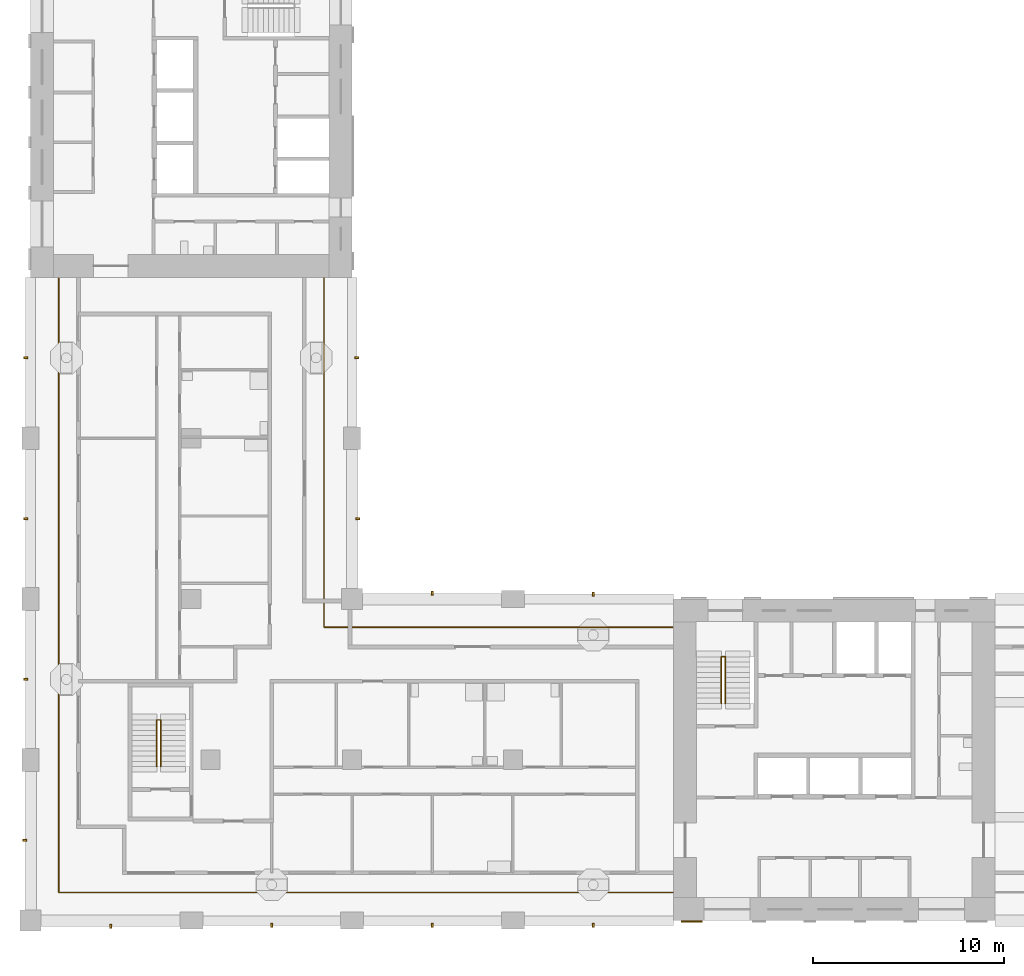
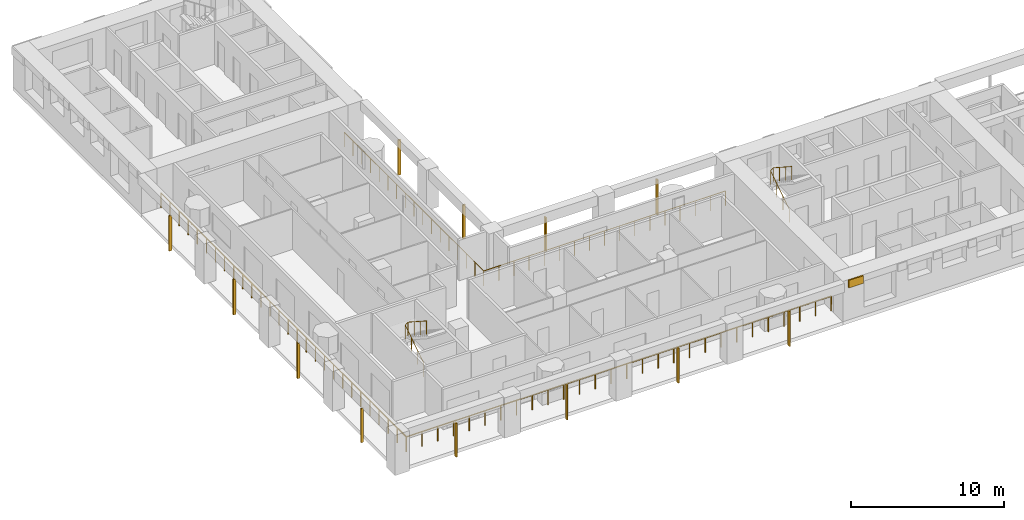
# One storey, part 8 of 13: 13 shading devices, 4 railings.
"""IFC4 building model written with IfcOpenShell, lengths in metres."""

from ifc_helpers import new_model, si_unit, direction, frame, origin, origin_2d, place, context, subcontext, project, spatial, rectangle, circle, extrude, material, layer, layer_set, material_profile, profile_set, type_object, element, save


model = new_model("IFC4")

# Units and contexts
model_context = context("Model", 3, precision=1e-05, world=origin(), true_north=direction((0.0, 1.0)))
body_context = subcontext(model_context, "Body", "Model", "MODEL_VIEW")
ifc_project = project(units=[si_unit("LENGTHUNIT", "METRE"), si_unit("AREAUNIT", "SQUARE_METRE"), si_unit("VOLUMEUNIT", "CUBIC_METRE"), si_unit("PLANEANGLEUNIT", "RADIAN"), si_unit("MASSUNIT", "GRAM", prefix="KILO")], contexts=[model_context])

# Site, building, storey
site_placement = place(None, origin())
site = spatial("IfcSite", under=ifc_project, at=site_placement, CompositionType="ELEMENT")
building_placement = place(site_placement, origin())
building = spatial("IfcBuilding", under=site, at=building_placement, Name="Vermilion Gate Residences", CompositionType="ELEMENT")
storey_placement = place(building_placement, frame((0.0, 0.0, 196.699951171875)))
storey = spatial("IfcBuildingStorey", under=building, at=storey_placement, Name="L51", CompositionType="ELEMENT", Elevation=196.699951171875)

# Railings
ifc_material_1 = material(Name="Stainless steel and toughened glass", Category="steel")
railing_type_1 = type_object("IfcRailingType", Name="LOGGIA GUARD STEEL AND GLASS 1200", PredefinedType="GUARDRAIL", material=ifc_material_1)
railing_1_placement = place(storey_placement, frame((41.97802734375, 23.72509765625, 0.0)))
element("IfcRailing", 1, at=railing_1_placement, inside=storey, type_object=railing_type_1, Name="Loggia guard", PredefinedType="GUARDRAIL", context=body_context, shape_type="SweptSolid", body=[
    extrude(circle(Radius=0.030029296875, at=origin_2d()), frame((0.0, 0.0, 1.169921875), z_axis=(-1.0, 0.0, 0.0), x_axis=(0.0, -1.0, 0.0)), (0.0, 0.0, 1.0), 18.2529296875),
    extrude(circle(Radius=0.030029296875, at=origin_2d()), frame((-18.2529296875, 0.0, 1.169921875), z_axis=(0.0, 1.0, 0.0), x_axis=(-1.0, 0.0, 0.0)), (0.0, 0.0, 1.0), 18.2529296875),
    extrude(circle(Radius=0.02490234375, at=origin_2d()), origin(), (0.0, 0.0, 1.0), 1.139892578125),
    extrude(circle(Radius=0.02490234375, at=origin_2d()), frame((-1.140869140625, 0.0, 0.0)), (0.0, 0.0, 1.0), 1.139892578125),
    extrude(circle(Radius=0.02490234375, at=origin_2d()), frame((-2.28173828125, 0.0, 0.0)), (0.0, 0.0, 1.0), 1.139892578125),
    extrude(circle(Radius=0.02490234375, at=origin_2d()), frame((-3.42236328125, 0.0, 0.0)), (0.0, 0.0, 1.0), 1.139892578125),
    extrude(circle(Radius=0.02490234375, at=origin_2d()), frame((-4.563232421875, 0.0, 0.0)), (0.0, 0.0, 1.0), 1.139892578125),
    extrude(circle(Radius=0.02490234375, at=origin_2d()), frame((-5.7041015625, 0.0, 0.0)), (0.0, 0.0, 1.0), 1.139892578125),
    extrude(circle(Radius=0.02490234375, at=origin_2d()), frame((-6.8447265625, 0.0, 0.0)), (0.0, 0.0, 1.0), 1.139892578125),
    extrude(circle(Radius=0.02490234375, at=origin_2d()), frame((-7.985595703125, 0.0, 0.0)), (0.0, 0.0, 1.0), 1.139892578125),
    extrude(circle(Radius=0.02490234375, at=origin_2d()), frame((-9.12646484375, 0.0, 0.0)), (0.0, 0.0, 1.0), 1.139892578125),
    extrude(circle(Radius=0.02490234375, at=origin_2d()), frame((-10.267333984375, 0.0, 0.0)), (0.0, 0.0, 1.0), 1.139892578125),
    extrude(circle(Radius=0.02490234375, at=origin_2d()), frame((-11.408203125, 0.0, 0.0)), (0.0, 0.0, 1.0), 1.139892578125),
    extrude(circle(Radius=0.02490234375, at=origin_2d()), frame((-12.548828125, 0.0, 0.0)), (0.0, 0.0, 1.0), 1.139892578125),
    extrude(circle(Radius=0.02490234375, at=origin_2d()), frame((-13.689697265625, 0.0, 0.0)), (0.0, 0.0, 1.0), 1.139892578125),
    extrude(circle(Radius=0.02490234375, at=origin_2d()), frame((-14.83056640625, 0.0, 0.0)), (0.0, 0.0, 1.0), 1.139892578125),
    extrude(circle(Radius=0.02490234375, at=origin_2d()), frame((-15.97119140625, 0.0, 0.0)), (0.0, 0.0, 1.0), 1.139892578125),
    extrude(circle(Radius=0.02490234375, at=origin_2d()), frame((-17.112060546875, 0.0, 0.0)), (0.0, 0.0, 1.0), 1.139892578125),
    extrude(circle(Radius=0.02490234375, at=origin_2d()), frame((-18.2529296875, 0.0, 0.0)), (0.0, 0.0, 1.0), 1.139892578125),
    extrude(circle(Radius=0.02490234375, at=origin_2d()), frame((-18.2529296875, 1.140869140625, 0.0)), (0.0, 0.0, 1.0), 1.139892578125),
    extrude(circle(Radius=0.02490234375, at=origin_2d()), frame((-18.2529296875, 2.28173828125, 0.0)), (0.0, 0.0, 1.0), 1.139892578125),
    extrude(circle(Radius=0.02490234375, at=origin_2d()), frame((-18.2529296875, 3.42236328125, 0.0)), (0.0, 0.0, 1.0), 1.139892578125),
    extrude(circle(Radius=0.02490234375, at=origin_2d()), frame((-18.2529296875, 4.563232421875, 0.0)), (0.0, 0.0, 1.0), 1.139892578125),
    extrude(circle(Radius=0.02490234375, at=origin_2d()), frame((-18.2529296875, 5.7041015625, 0.0)), (0.0, 0.0, 1.0), 1.139892578125),
    extrude(circle(Radius=0.02490234375, at=origin_2d()), frame((-18.2529296875, 6.8447265625, 0.0)), (0.0, 0.0, 1.0), 1.139892578125),
    extrude(circle(Radius=0.02490234375, at=origin_2d()), frame((-18.2529296875, 7.985595703125, 0.0)), (0.0, 0.0, 1.0), 1.139892578125),
    extrude(circle(Radius=0.02490234375, at=origin_2d()), frame((-18.2529296875, 9.12646484375, 0.0)), (0.0, 0.0, 1.0), 1.139892578125),
    extrude(circle(Radius=0.02490234375, at=origin_2d()), frame((-18.2529296875, 10.267333984375, 0.0)), (0.0, 0.0, 1.0), 1.139892578125),
    extrude(circle(Radius=0.02490234375, at=origin_2d()), frame((-18.2529296875, 11.408203125, 0.0)), (0.0, 0.0, 1.0), 1.139892578125),
    extrude(circle(Radius=0.02490234375, at=origin_2d()), frame((-18.2529296875, 12.548828125, 0.0)), (0.0, 0.0, 1.0), 1.139892578125),
    extrude(circle(Radius=0.02490234375, at=origin_2d()), frame((-18.2529296875, 13.689697265625, 0.0)), (0.0, 0.0, 1.0), 1.139892578125),
    extrude(circle(Radius=0.02490234375, at=origin_2d()), frame((-18.2529296875, 14.83056640625, 0.0)), (0.0, 0.0, 1.0), 1.139892578125),
    extrude(circle(Radius=0.02490234375, at=origin_2d()), frame((-18.2529296875, 15.97119140625, 0.0)), (0.0, 0.0, 1.0), 1.139892578125),
    extrude(circle(Radius=0.02490234375, at=origin_2d()), frame((-18.2529296875, 17.112060546875, 0.0)), (0.0, 0.0, 1.0), 1.139892578125),
    extrude(circle(Radius=0.02490234375, at=origin_2d()), frame((-18.2529296875, 18.2529296875, 0.0)), (0.0, 0.0, 1.0), 1.139892578125),
])
railing_2_placement = place(storey_placement, frame((9.875, 41.97802734375, 0.0)))
element("IfcRailing", 2, at=railing_2_placement, inside=storey, type_object=railing_type_1, Name="Loggia guard", PredefinedType="GUARDRAIL", context=body_context, shape_type="SweptSolid", body=[
    extrude(circle(Radius=0.030029296875, at=origin_2d()), frame((0.0, 0.0, 1.169921875), z_axis=(0.0, -1.0, 0.0), x_axis=(1.0, 0.0, 0.0)), (0.0, 0.0, 1.0), 32.10302734375),
    extrude(circle(Radius=0.030029296875, at=origin_2d()), frame((0.0, -32.10302734375, 1.169921875), z_axis=(1.0, 0.0, 0.0), x_axis=(0.0, 1.0, 0.0)), (0.0, 0.0, 1.0), 32.10302734375),
    extrude(circle(Radius=0.02490234375, at=origin_2d()), origin(), (0.0, 0.0, 1.0), 1.139892578125),
    extrude(circle(Radius=0.02490234375, at=origin_2d()), frame((0.0, -1.18896484375, 0.0)), (0.0, 0.0, 1.0), 1.139892578125),
    extrude(circle(Radius=0.02490234375, at=origin_2d()), frame((0.0, -2.3779296875, 0.0)), (0.0, 0.0, 1.0), 1.139892578125),
    extrude(circle(Radius=0.02490234375, at=origin_2d()), frame((0.0, -3.56689453125, 0.0)), (0.0, 0.0, 1.0), 1.139892578125),
    extrude(circle(Radius=0.02490234375, at=origin_2d()), frame((0.0, -4.756103515625, 0.0)), (0.0, 0.0, 1.0), 1.139892578125),
    extrude(circle(Radius=0.02490234375, at=origin_2d()), frame((0.0, -5.945068359375, 0.0)), (0.0, 0.0, 1.0), 1.139892578125),
    extrude(circle(Radius=0.02490234375, at=origin_2d()), frame((0.0, -7.134033203125, 0.0)), (0.0, 0.0, 1.0), 1.139892578125),
    extrude(circle(Radius=0.02490234375, at=origin_2d()), frame((0.0, -8.322998046875, 0.0)), (0.0, 0.0, 1.0), 1.139892578125),
    extrude(circle(Radius=0.02490234375, at=origin_2d()), frame((0.0, -9.511962890625, 0.0)), (0.0, 0.0, 1.0), 1.139892578125),
    extrude(circle(Radius=0.02490234375, at=origin_2d()), frame((0.0, -10.700927734375, 0.0)), (0.0, 0.0, 1.0), 1.139892578125),
    extrude(circle(Radius=0.02490234375, at=origin_2d()), frame((0.0, -11.889892578125, 0.0)), (0.0, 0.0, 1.0), 1.139892578125),
    extrude(circle(Radius=0.02490234375, at=origin_2d()), frame((0.0, -13.0791015625, 0.0)), (0.0, 0.0, 1.0), 1.139892578125),
    extrude(circle(Radius=0.02490234375, at=origin_2d()), frame((0.0, -14.26806640625, 0.0)), (0.0, 0.0, 1.0), 1.139892578125),
    extrude(circle(Radius=0.02490234375, at=origin_2d()), frame((0.0, -15.45703125, 0.0)), (0.0, 0.0, 1.0), 1.139892578125),
    extrude(circle(Radius=0.02490234375, at=origin_2d()), frame((0.0, -16.64599609375, 0.0)), (0.0, 0.0, 1.0), 1.139892578125),
    extrude(circle(Radius=0.02490234375, at=origin_2d()), frame((0.0, -17.8349609375, 0.0)), (0.0, 0.0, 1.0), 1.139892578125),
    extrude(circle(Radius=0.02490234375, at=origin_2d()), frame((0.0, -19.02392578125, 0.0)), (0.0, 0.0, 1.0), 1.139892578125),
    extrude(circle(Radius=0.02490234375, at=origin_2d()), frame((0.0, -20.213134765625, 0.0)), (0.0, 0.0, 1.0), 1.139892578125),
    extrude(circle(Radius=0.02490234375, at=origin_2d()), frame((0.0, -21.402099609375, 0.0)), (0.0, 0.0, 1.0), 1.139892578125),
    extrude(circle(Radius=0.02490234375, at=origin_2d()), frame((0.0, -22.591064453125, 0.0)), (0.0, 0.0, 1.0), 1.139892578125),
    extrude(circle(Radius=0.02490234375, at=origin_2d()), frame((0.0, -23.780029296875, 0.0)), (0.0, 0.0, 1.0), 1.139892578125),
    extrude(circle(Radius=0.02490234375, at=origin_2d()), frame((0.0, -24.968994140625, 0.0)), (0.0, 0.0, 1.0), 1.139892578125),
    extrude(circle(Radius=0.02490234375, at=origin_2d()), frame((0.0, -26.157958984375, 0.0)), (0.0, 0.0, 1.0), 1.139892578125),
    extrude(circle(Radius=0.02490234375, at=origin_2d()), frame((0.0, -27.346923828125, 0.0)), (0.0, 0.0, 1.0), 1.139892578125),
    extrude(circle(Radius=0.02490234375, at=origin_2d()), frame((0.0, -28.5361328125, 0.0)), (0.0, 0.0, 1.0), 1.139892578125),
    extrude(circle(Radius=0.02490234375, at=origin_2d()), frame((0.0, -29.72509765625, 0.0)), (0.0, 0.0, 1.0), 1.139892578125),
    extrude(circle(Radius=0.02490234375, at=origin_2d()), frame((0.0, -30.9140625, 0.0)), (0.0, 0.0, 1.0), 1.139892578125),
    extrude(circle(Radius=0.02490234375, at=origin_2d()), frame((0.0, -32.10302734375, 0.0)), (0.0, 0.0, 1.0), 1.139892578125),
    extrude(circle(Radius=0.02490234375, at=origin_2d()), frame((1.18896484375, -32.10302734375, 0.0)), (0.0, 0.0, 1.0), 1.139892578125),
    extrude(circle(Radius=0.02490234375, at=origin_2d()), frame((2.3779296875, -32.10302734375, 0.0)), (0.0, 0.0, 1.0), 1.139892578125),
    extrude(circle(Radius=0.02490234375, at=origin_2d()), frame((3.56689453125, -32.10302734375, 0.0)), (0.0, 0.0, 1.0), 1.139892578125),
    extrude(circle(Radius=0.02490234375, at=origin_2d()), frame((4.756103515625, -32.10302734375, 0.0)), (0.0, 0.0, 1.0), 1.139892578125),
    extrude(circle(Radius=0.02490234375, at=origin_2d()), frame((5.945068359375, -32.10302734375, 0.0)), (0.0, 0.0, 1.0), 1.139892578125),
    extrude(circle(Radius=0.02490234375, at=origin_2d()), frame((7.134033203125, -32.10302734375, 0.0)), (0.0, 0.0, 1.0), 1.139892578125),
    extrude(circle(Radius=0.02490234375, at=origin_2d()), frame((8.322998046875, -32.10302734375, 0.0)), (0.0, 0.0, 1.0), 1.139892578125),
    extrude(circle(Radius=0.02490234375, at=origin_2d()), frame((9.511962890625, -32.10302734375, 0.0)), (0.0, 0.0, 1.0), 1.139892578125),
    extrude(circle(Radius=0.02490234375, at=origin_2d()), frame((10.700927734375, -32.10302734375, 0.0)), (0.0, 0.0, 1.0), 1.139892578125),
    extrude(circle(Radius=0.02490234375, at=origin_2d()), frame((11.889892578125, -32.10302734375, 0.0)), (0.0, 0.0, 1.0), 1.139892578125),
    extrude(circle(Radius=0.02490234375, at=origin_2d()), frame((13.0791015625, -32.10302734375, 0.0)), (0.0, 0.0, 1.0), 1.139892578125),
    extrude(circle(Radius=0.02490234375, at=origin_2d()), frame((14.26806640625, -32.10302734375, 0.0)), (0.0, 0.0, 1.0), 1.139892578125),
    extrude(circle(Radius=0.02490234375, at=origin_2d()), frame((15.45703125, -32.10302734375, 0.0)), (0.0, 0.0, 1.0), 1.139892578125),
    extrude(circle(Radius=0.02490234375, at=origin_2d()), frame((16.64599609375, -32.10302734375, 0.0)), (0.0, 0.0, 1.0), 1.139892578125),
    extrude(circle(Radius=0.02490234375, at=origin_2d()), frame((17.8349609375, -32.10302734375, 0.0)), (0.0, 0.0, 1.0), 1.139892578125),
    extrude(circle(Radius=0.02490234375, at=origin_2d()), frame((19.02392578125, -32.10302734375, 0.0)), (0.0, 0.0, 1.0), 1.139892578125),
    extrude(circle(Radius=0.02490234375, at=origin_2d()), frame((20.213134765625, -32.10302734375, 0.0)), (0.0, 0.0, 1.0), 1.139892578125),
    extrude(circle(Radius=0.02490234375, at=origin_2d()), frame((21.402099609375, -32.10302734375, 0.0)), (0.0, 0.0, 1.0), 1.139892578125),
    extrude(circle(Radius=0.02490234375, at=origin_2d()), frame((22.591064453125, -32.10302734375, 0.0)), (0.0, 0.0, 1.0), 1.139892578125),
    extrude(circle(Radius=0.02490234375, at=origin_2d()), frame((23.780029296875, -32.10302734375, 0.0)), (0.0, 0.0, 1.0), 1.139892578125),
    extrude(circle(Radius=0.02490234375, at=origin_2d()), frame((24.968994140625, -32.10302734375, 0.0)), (0.0, 0.0, 1.0), 1.139892578125),
    extrude(circle(Radius=0.02490234375, at=origin_2d()), frame((26.157958984375, -32.10302734375, 0.0)), (0.0, 0.0, 1.0), 1.139892578125),
    extrude(circle(Radius=0.02490234375, at=origin_2d()), frame((27.346923828125, -32.10302734375, 0.0)), (0.0, 0.0, 1.0), 1.139892578125),
    extrude(circle(Radius=0.02490234375, at=origin_2d()), frame((28.5361328125, -32.10302734375, 0.0)), (0.0, 0.0, 1.0), 1.139892578125),
    extrude(circle(Radius=0.02490234375, at=origin_2d()), frame((29.72509765625, -32.10302734375, 0.0)), (0.0, 0.0, 1.0), 1.139892578125),
    extrude(circle(Radius=0.02490234375, at=origin_2d()), frame((30.9140625, -32.10302734375, 0.0)), (0.0, 0.0, 1.0), 1.139892578125),
    extrude(circle(Radius=0.02490234375, at=origin_2d()), frame((32.10302734375, -32.10302734375, 0.0)), (0.0, 0.0, 1.0), 1.139892578125),
])
ifc_material_2 = material(Name="Steel S355", Category="steel")
railing_type_2 = type_object("IfcRailingType", Name="STAIR GUARD 1100 STEEL", PredefinedType="GUARDRAIL", material=ifc_material_2)
for number, where, name in (
    (3, (44.5, 19.75, 0.175048828125), "Stair well guard STA1-51"),
    (4, (15.0, 16.449951171875, 0.175048828125), "Stair well guard STC1-51"),
):
    element("IfcRailing", number, at=place(storey_placement, frame(where)), inside=storey, type_object=railing_type_2, Name=name, PredefinedType="GUARDRAIL", context=body_context, shape_type="SweptSolid", body=[
        extrude(circle(Radius=0.02392578125, at=origin_2d()), frame((0.0, 0.0, 1.076171875), z_axis=(0.0, 0.839153699163, 0.543894354798), x_axis=(-1.0, 0.0, 0.0)), (0.0, 0.0, 1.0), 2.895751953125),
        extrude(circle(Radius=0.02392578125, at=origin_2d()), frame((0.0, 2.429931640625, 2.65087890625), z_axis=(0.752405939678, 0.0, 0.658699705433), x_axis=(0.0, 1.0, 0.0)), (0.0, 0.0, 1.0), 0.265869140625),
        extrude(circle(Radius=0.02392578125, at=origin_2d()), frame((0.199951171875, 2.429931640625, 2.826171875), z_axis=(0.0, -0.839153699163, 0.543894354798), x_axis=(1.0, 0.0, 0.0)), (0.0, 0.0, 1.0), 2.895751953125),
        extrude(circle(Radius=0.02099609375, at=origin_2d()), origin(), (0.0, 0.0, 1.0), 1.052001953125),
        extrude(circle(Radius=0.02099609375, at=origin_2d()), frame((0.0, 0.81005859375, 0.52490234375)), (0.0, 0.0, 1.0), 1.052001953125),
        extrude(circle(Radius=0.02099609375, at=origin_2d()), frame((0.0, 1.619873046875, 1.050048828125)), (0.0, 0.0, 1.0), 1.052001953125),
        extrude(circle(Radius=0.02099609375, at=origin_2d()), frame((0.0, 2.429931640625, 1.574951171875)), (0.0, 0.0, 1.0), 1.052001953125),
        extrude(circle(Radius=0.02099609375, at=origin_2d()), frame((0.199951171875, 2.429931640625, 1.75)), (0.0, 0.0, 1.0), 1.052001953125),
        extrude(circle(Radius=0.02099609375, at=origin_2d()), frame((0.199951171875, 1.619873046875, 2.27490234375)), (0.0, 0.0, 1.0), 1.052001953125),
        extrude(circle(Radius=0.02099609375, at=origin_2d()), frame((0.199951171875, 0.81005859375, 2.800048828125)), (0.0, 0.0, 1.0), 1.052001953125),
        extrude(circle(Radius=0.02099609375, at=origin_2d()), frame((0.199951171875, 0.0, 3.324951171875)), (0.0, 0.0, 1.0), 1.052001953125),
    ])

# Shading devices
ifc_material_3 = material(Name="Extruded terracotta", Category="masonry")
ifc_material_profile = material_profile(ifc_material_3, rectangle(XDim=0.199951171875, YDim=0.10009765625, at=origin_2d()), Name="BAGUETTE 100 X 200")
ifc_profile_set = profile_set([ifc_material_profile], Name="Extruded terracotta")
shading_device_type_1 = type_object("IfcShadingDeviceType", Name="TERRACOTTA BAGUETTE 100 X 200", PredefinedType="JALOUSIE", material=ifc_profile_set)
shading_device_1_placement = place(storey_placement, frame((12.60009765625, 8.10009765625, -0.280029296875), z_axis=(0.0, 0.0, 1.0), x_axis=(0.0, 1.0, 0.0)))
element("IfcShadingDevice", 5, at=shading_device_1_placement, inside=storey, type_object=shading_device_type_1, Name="BAGUETTE", PredefinedType="JALOUSIE", context=body_context, shape_type="SweptSolid", body=[
    extrude(rectangle(XDim=0.199951171875, YDim=0.10009765625, at=origin_2d()), origin(), (0.0, 0.0, 1.0), 2.7001953125),
])
for number, where, z_axis, x_axis, name in (
    (6, (21.0, 8.14990234375, -0.280029296875), (0.0, 0.0, 1.0), (0.0, 1.0, 0.0), "BAGUETTE"),
    (7, (29.39990234375, 8.14990234375, -0.280029296875), (0.0, 0.0, 1.0), (0.0, 1.0, 0.0), "BAGUETTE"),
    (8, (37.800048828125, 8.14990234375, -0.280029296875), (0.0, 0.0, 1.0), (0.0, 1.0, 0.0), "BAGUETTE"),
):
    element("IfcShadingDevice", number, at=place(storey_placement, frame(where, z_axis=z_axis, x_axis=x_axis)), inside=storey, type_object=shading_device_type_1, Name=name, PredefinedType="JALOUSIE", context=body_context, shape_type="SweptSolid", body=[
        extrude(rectangle(XDim=0.199951171875, YDim=0.10009765625, at=origin_2d()), origin(), (0.0, 0.0, 1.0), 2.800048828125),
    ])
shading_device_2_placement = place(storey_placement, frame((29.39990234375, 25.5, -0.280029296875), z_axis=(0.0, 0.0, 1.0), x_axis=(0.0, -1.0, 0.0)))
element("IfcShadingDevice", 9, at=shading_device_2_placement, inside=storey, type_object=shading_device_type_1, Name="BAGUETTE", PredefinedType="JALOUSIE", context=body_context, shape_type="SweptSolid", body=[
    extrude(rectangle(XDim=0.199951171875, YDim=0.10009765625, at=origin_2d()), origin(), (0.0, 0.0, 1.0), 2.7001953125),
])
shading_device_3_placement = place(storey_placement, frame((37.800048828125, 25.449951171875, -0.280029296875), z_axis=(0.0, 0.0, 1.0), x_axis=(0.0, -1.0, 0.0)))
element("IfcShadingDevice", 10, at=shading_device_3_placement, inside=storey, type_object=shading_device_type_1, Name="BAGUETTE", PredefinedType="JALOUSIE", context=body_context, shape_type="SweptSolid", body=[
    extrude(rectangle(XDim=0.199951171875, YDim=0.10009765625, at=origin_2d()), origin(), (0.0, 0.0, 1.0), 2.800048828125),
])
shading_device_4_placement = place(storey_placement, frame((25.5, 29.39990234375, -0.280029296875), z_axis=(0.0, 0.0, 1.0), x_axis=(-1.0, 0.0, 0.0)))
element("IfcShadingDevice", 11, at=shading_device_4_placement, inside=storey, type_object=shading_device_type_1, Name="BAGUETTE", PredefinedType="JALOUSIE", context=body_context, shape_type="SweptSolid", body=[
    extrude(rectangle(XDim=0.199951171875, YDim=0.10009765625, at=origin_2d()), origin(), (0.0, 0.0, 1.0), 2.7001953125),
])
shading_device_5_placement = place(storey_placement, frame((25.449951171875, 37.800048828125, -0.280029296875), z_axis=(0.0, 0.0, 1.0), x_axis=(-1.0, 0.0, 0.0)))
element("IfcShadingDevice", 12, at=shading_device_5_placement, inside=storey, type_object=shading_device_type_1, Name="BAGUETTE", PredefinedType="JALOUSIE", context=body_context, shape_type="SweptSolid", body=[
    extrude(rectangle(XDim=0.199951171875, YDim=0.10009765625, at=origin_2d()), origin(), (0.0, 0.0, 1.0), 2.800048828125),
])
shading_device_6_placement = place(storey_placement, frame((8.10009765625, 12.60009765625, -0.280029296875), z_axis=(0.0, 0.0, 1.0), x_axis=(1.0, 0.0, 0.0)))
element("IfcShadingDevice", 13, at=shading_device_6_placement, inside=storey, type_object=shading_device_type_1, Name="BAGUETTE", PredefinedType="JALOUSIE", context=body_context, shape_type="SweptSolid", body=[
    extrude(rectangle(XDim=0.199951171875, YDim=0.10009765625, at=origin_2d()), origin(), (0.0, 0.0, 1.0), 2.7001953125),
])
for number, where, z_axis, x_axis, name in (
    (14, (8.14990234375, 21.0, -0.280029296875), (0.0, 0.0, 1.0), (1.0, 0.0, 0.0), "BAGUETTE"),
    (15, (8.14990234375, 29.39990234375, -0.280029296875), (0.0, 0.0, 1.0), (1.0, 0.0, 0.0), "BAGUETTE"),
    (16, (8.14990234375, 37.800048828125, -0.280029296875), (0.0, 0.0, 1.0), (1.0, 0.0, 0.0), "BAGUETTE"),
):
    element("IfcShadingDevice", number, at=place(storey_placement, frame(where, z_axis=z_axis, x_axis=x_axis)), inside=storey, type_object=shading_device_type_1, Name=name, PredefinedType="JALOUSIE", context=body_context, shape_type="SweptSolid", body=[
        extrude(rectangle(XDim=0.199951171875, YDim=0.10009765625, at=origin_2d()), origin(), (0.0, 0.0, 1.0), 2.800048828125),
    ])
ifc_material_4 = material(Name="Extruded terracotta", Category="masonry")
ifc_layer = layer(ifc_material_4, 0.10009765625)
ifc_layer_set = layer_set([ifc_layer], Name="TERRACOTTA SPANDREL BAND 600 X 100")
shading_device_type_2 = type_object("IfcShadingDeviceType", Name="TERRACOTTA SPANDREL BAND 600 X 100", PredefinedType="USERDEFINED", material=ifc_layer_set)
shading_device_7_placement = place(storey_placement, frame((42.949951171875, 8.35009765625, 2.6201171875), z_axis=(0.0, 0.0, 1.0), x_axis=(1.0, 0.0, 0.0)))
element("IfcShadingDevice", 17, at=shading_device_7_placement, inside=storey, type_object=shading_device_type_2, Name="SPANDREL BAND", ObjectType="BAND", PredefinedType="USERDEFINED", context=body_context, shape_type="SweptSolid", body=[
    extrude(rectangle(XDim=1.10009765625, YDim=0.10009765625, at=origin_2d()), origin(), (0.0, 0.0, 1.0), 0.60009765625),
])

save(model, "model.ifc")
